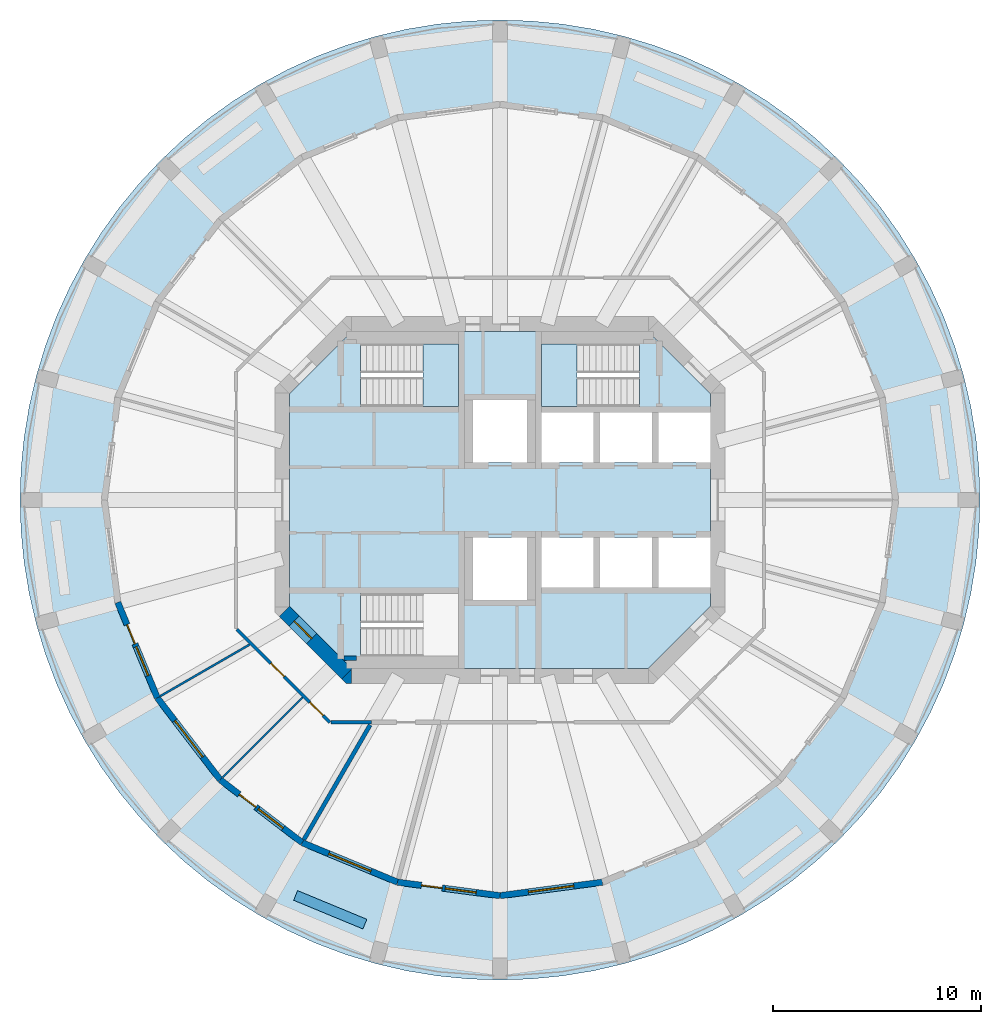
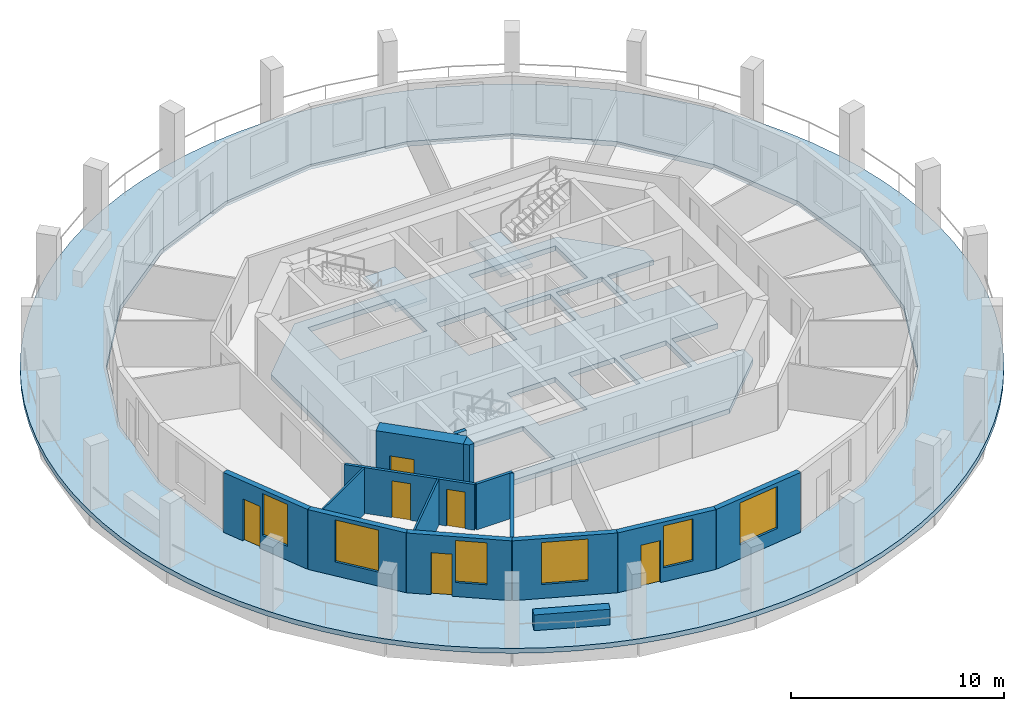
# One storey, part 2 of 9: 15 walls, 6 doors, 6 windows, 4 slabs, 12 openings, 2 elements without a shape of their own.
"""IFC4 building model written with IfcOpenShell, lengths in metres."""

from ifc_helpers import new_model, si_unit, direction, frame, frame_2d, origin, place, context, subcontext, project, spatial, polyline, rectangle, outline, extrude, material, layer, layer_set, type_object, element, fill, aggregate, save


model = new_model("IFC4")

# Units and contexts
model_context = context("Model", 3, precision=1e-05, world=origin(), true_north=direction((0.0, 1.0)))
body_context = subcontext(model_context, "Body", "Model", "MODEL_VIEW")
ifc_project = project(units=[si_unit("LENGTHUNIT", "METRE"), si_unit("AREAUNIT", "SQUARE_METRE"), si_unit("VOLUMEUNIT", "CUBIC_METRE"), si_unit("PLANEANGLEUNIT", "RADIAN"), si_unit("MASSUNIT", "GRAM", prefix="KILO")], contexts=[model_context])

# Site, building, storey
site_placement = place(None, origin())
site = spatial("IfcSite", under=ifc_project, at=site_placement, CompositionType="ELEMENT")
building_placement = place(site_placement, origin())
building = spatial("IfcBuilding", under=site, at=building_placement, Name="Torre Triforio", CompositionType="ELEMENT")
storey_placement = place(building_placement, frame((0.0, 0.0, 157.89990234375)))
storey = spatial("IfcBuildingStorey", under=building, at=storey_placement, Name="L35", CompositionType="ELEMENT", Elevation=157.89990234375)

# Slabs
ifc_material_1 = material(Name="Concrete C50", Category="concrete")
ifc_layer_1 = layer(ifc_material_1, 0.280029296875)
ifc_layer_set_1 = layer_set([ifc_layer_1], Name="Concrete C50")
slab_type_1 = type_object("IfcSlabType", Name="Core floor slab 280 mm C50 REI 120", PredefinedType="FLOOR", material=ifc_layer_set_1)
slab_1_placement = place(storey_placement, frame((0.0, 0.0, -0.27978515625)))
element("IfcSlab", 1, at=slab_1_placement, inside=storey, type_object=slab_type_1, Name="Core floor slab", PredefinedType="FLOOR", context=body_context, shape_type="SweptSolid", body=[
    extrude(outline(polyline([(10.10009765625, -5.10009765625), (7.10009765625, -8.10009765625), (-7.10009765625, -8.10009765625), (-10.10009765625, -5.10009765625), (-10.10009765625, 5.10009765625), (-7.10009765625, 8.10009765625), (7.10009765625, 8.10009765625), (10.10009765625, 5.10009765625), (10.10009765625, 4.199951171875), (7.60009765625, 4.199951171875), (7.60009765625, 1.800048828125), (10.10009765625, 1.800048828125), (10.10009765625, -1.800048828125), (7.60009765625, -1.800048828125), (7.60009765625, -4.199951171875), (10.10009765625, -4.199951171875), (10.10009765625, -5.10009765625)]), holes=[polyline([(-6.696044921875, -4.5), (-6.696044921875, -7.5), (-2.0, -7.5), (-2.0, -4.5), (-6.696044921875, -4.5)]), polyline([(-1.300048828125, -1.800048828125), (-1.300048828125, -4.800048828125), (1.300048828125, -4.800048828125), (1.300048828125, -1.800048828125), (-1.300048828125, -1.800048828125)]), polyline([(2.0, -1.800048828125), (2.0, -4.199951171875), (4.5, -4.199951171875), (4.5, -1.800048828125), (2.0, -1.800048828125)]), polyline([(4.5, 4.199951171875), (2.0, 4.199951171875), (2.0, 1.800048828125), (4.5, 1.800048828125), (4.5, 4.199951171875)]), polyline([(1.300048828125, 4.800048828125), (-1.300048828125, 4.800048828125), (-1.300048828125, 1.800048828125), (1.300048828125, 1.800048828125), (1.300048828125, 4.800048828125)]), polyline([(-6.696044921875, 7.5), (-6.696044921875, 4.5), (-2.0, 4.5), (-2.0, 7.5), (-6.696044921875, 7.5)]), polyline([(7.300048828125, -1.800048828125), (4.800048828125, -1.800048828125), (4.800048828125, -4.199951171875), (7.300048828125, -4.199951171875), (7.300048828125, -1.800048828125)]), polyline([(4.800048828125, 4.199951171875), (4.800048828125, 1.800048828125), (7.300048828125, 1.800048828125), (7.300048828125, 4.199951171875), (4.800048828125, 4.199951171875)]), polyline([(6.696044921875, 7.5), (2.0, 7.5), (2.0, 4.5), (6.696044921875, 4.5), (6.696044921875, 7.5)])]), origin(), (0.0, 0.0, 1.0), 0.27978515625),
])
ifc_material_2 = material(Name="Concrete C40", Category="concrete")
ifc_layer_2 = layer(ifc_material_2, 0.280029296875)
ifc_layer_set_2 = layer_set([ifc_layer_2], Name="Concrete C40")
slab_type_2 = type_object("IfcSlabType", Name="Loggia slab 280 C40", PredefinedType="FLOOR", material=ifc_layer_set_2)
slab_2_placement = place(storey_placement, frame((0.0, 0.0, -0.27978515625)))
element("IfcSlab", 2, at=slab_2_placement, inside=storey, type_object=slab_type_2, Name="SL.L35.LG", PredefinedType="FLOOR", context=body_context, shape_type="SweptSolid", body=[
    extrude(outline(polyline([(23.000732421875, -1.507568359375), (23.050048828125, 0.0), (23.000732421875, 1.507568359375), (22.852783203125, 3.008544921875), (22.607177734375, 4.496826171875), (22.2646484375, 5.9658203125), (21.82666015625, 7.4091796875), (21.29541015625, 8.82080078125), (20.6728515625, 10.19482421875), (19.9619140625, 11.52490234375), (19.165283203125, 12.805908203125), (18.286865234375, 14.031982421875), (17.329833984375, 15.197998046875), (16.298828125, 16.298828125), (15.197998046875, 17.329833984375), (14.031982421875, 18.286865234375), (12.805908203125, 19.165283203125), (11.52490234375, 19.9619140625), (10.19482421875, 20.6728515625), (8.82080078125, 21.29541015625), (7.4091796875, 21.82666015625), (5.9658203125, 22.2646484375), (4.496826171875, 22.607177734375), (3.008544921875, 22.852783203125), (1.507568359375, 23.000732421875), (0.0, 23.050048828125), (-1.507568359375, 23.000732421875), (-3.008544921875, 22.852783203125), (-4.496826171875, 22.607177734375), (-5.9658203125, 22.2646484375), (-7.4091796875, 21.82666015625), (-8.82080078125, 21.29541015625), (-10.19482421875, 20.6728515625), (-11.52490234375, 19.9619140625), (-12.805908203125, 19.165283203125), (-14.031982421875, 18.286865234375), (-15.197998046875, 17.329833984375), (-16.298828125, 16.298828125), (-17.329833984375, 15.197998046875), (-18.286865234375, 14.031982421875), (-19.165283203125, 12.805908203125), (-19.9619140625, 11.52490234375), (-20.6728515625, 10.19482421875), (-21.29541015625, 8.82080078125), (-21.82666015625, 7.4091796875), (-22.2646484375, 5.9658203125), (-22.607177734375, 4.496826171875), (-22.852783203125, 3.008544921875), (-23.000732421875, 1.507568359375), (-23.050048828125, 0.0), (-23.000732421875, -1.507568359375), (-22.852783203125, -3.008544921875), (-22.607177734375, -4.496826171875), (-22.2646484375, -5.9658203125), (-21.82666015625, -7.4091796875), (-21.29541015625, -8.82080078125), (-20.6728515625, -10.19482421875), (-19.9619140625, -11.52490234375), (-19.165283203125, -12.805908203125), (-18.286865234375, -14.031982421875), (-17.329833984375, -15.197998046875), (-16.298828125, -16.298828125), (-15.197998046875, -17.329833984375), (-14.031982421875, -18.286865234375), (-12.805908203125, -19.165283203125), (-11.52490234375, -19.9619140625), (-10.19482421875, -20.6728515625), (-8.82080078125, -21.29541015625), (-7.4091796875, -21.82666015625), (-5.9658203125, -22.2646484375), (-4.496826171875, -22.607177734375), (-3.008544921875, -22.852783203125), (-1.507568359375, -23.000732421875), (0.0, -23.050048828125), (1.507568359375, -23.000732421875), (3.008544921875, -22.852783203125), (4.496826171875, -22.607177734375), (5.9658203125, -22.2646484375), (7.4091796875, -21.82666015625), (8.82080078125, -21.29541015625), (10.19482421875, -20.6728515625), (11.52490234375, -19.9619140625), (12.805908203125, -19.165283203125), (14.031982421875, -18.286865234375), (15.197998046875, -17.329833984375), (16.298828125, -16.298828125), (17.329833984375, -15.197998046875), (18.286865234375, -14.031982421875), (19.165283203125, -12.805908203125), (19.9619140625, -11.52490234375), (20.6728515625, -10.19482421875), (21.29541015625, -8.82080078125), (21.82666015625, -7.4091796875), (22.2646484375, -5.9658203125), (22.607177734375, -4.496826171875), (22.852783203125, -3.008544921875), (23.000732421875, -1.507568359375)]), holes=[polyline([(18.3525390625, 4.91748046875), (19.0, 0.0), (18.3525390625, -4.91748046875), (16.45458984375, -9.5), (13.43505859375, -13.43505859375), (9.5, -16.45458984375), (4.91748046875, -18.3525390625), (0.0, -19.0), (-4.91748046875, -18.3525390625), (-9.5, -16.45458984375), (-13.43505859375, -13.43505859375), (-16.45458984375, -9.5), (-18.3525390625, -4.91748046875), (-19.0, 0.0), (-18.3525390625, 4.91748046875), (-16.45458984375, 9.5), (-13.43505859375, 13.43505859375), (-9.5, 16.45458984375), (-4.91748046875, 18.3525390625), (0.0, 19.0), (4.91748046875, 18.3525390625), (9.5, 16.45458984375), (13.43505859375, 13.43505859375), (16.45458984375, 9.5), (18.3525390625, 4.91748046875)])]), origin(), (0.0, 0.0, 1.0), 0.27978515625),
])

# Stair, slab
stair_type = type_object("IfcStairType", Name="STAIR HALF-TURN", PredefinedType="HALF_TURN_STAIR", material=ifc_material_2)
stair_1_placement = place(storey_placement, origin())
stair_1 = element("IfcStair", 3, at=stair_1_placement, inside=storey, type_object=stair_type, Name="Exit stair 1", PredefinedType="HALF_TURN_STAIR")
ifc_layer_3 = layer(ifc_material_2, 0.199951171875)
ifc_layer_set_3 = layer_set([ifc_layer_3], Name="Concrete C40")
slab_type_3 = type_object("IfcSlabType", Name="STAIR LANDING 200", PredefinedType="LANDING", material=ifc_layer_set_3)
slab_3_placement = place(storey_placement, frame((0.0, 0.0, 1.650146484375)))
slab_3 = element("IfcSlab", 4, at=slab_3_placement, type_object=slab_type_3, Name="ST1 landing 1", PredefinedType="LANDING", context=body_context, shape_type="SweptSolid", body=[
    extrude(outline(polyline([(-2.0, 4.5), (-2.0, 7.5), (-3.699951171875, 7.5), (-3.699951171875, 4.5), (-2.0, 4.5)])), origin(), (0.0, 0.0, 1.0), 0.199951171875),
])
aggregate(stair_1, [slab_3])

stair_2_placement = place(storey_placement, origin())
stair_2 = element("IfcStair", 5, at=stair_2_placement, inside=storey, type_object=stair_type, Name="Exit stair 2", PredefinedType="HALF_TURN_STAIR")
slab_4_placement = place(storey_placement, frame((0.0, 0.0, 1.650146484375)))
slab_4 = element("IfcSlab", 6, at=slab_4_placement, type_object=slab_type_3, Name="ST2 landing 1", PredefinedType="LANDING", context=body_context, shape_type="SweptSolid", body=[
    extrude(outline(polyline([(3.699951171875, 4.5), (3.699951171875, 7.5), (2.0, 7.5), (2.0, 4.5), (3.699951171875, 4.5)])), origin(), (0.0, 0.0, 1.0), 0.199951171875),
])
aggregate(stair_2, [slab_4])

# Wall, opening, door
ifc_layer_4 = layer(ifc_material_1, 0.699951171875)
ifc_layer_set_4 = layer_set([ifc_layer_4], Name="Concrete C50")
wall_type_1 = type_object("IfcWallType", Name="Core wall 700 mm C50 EI 120", PredefinedType="SHEAR", material=ifc_layer_set_4)
wall_1_placement = place(storey_placement, frame((-7.347412109375, -8.347412109375, -0.27978515625), z_axis=(0.0, 0.0, 1.0), x_axis=(-0.707106781187, 0.707106781187, 0.0)))
wall_1 = element("IfcWall", 7, at=wall_1_placement, inside=storey, type_object=wall_type_1, Name="Core wall", PredefinedType="SHEAR", context=body_context, shape_type="SweptSolid", body=[
    extrude(rectangle(XDim=4.24267578125, YDim=0.699951171875, at=frame_2d((2.121337890625, 0.0))), origin(), (0.0, 0.0, 1.0), 3.699951171875),
])
opening_1_placement = place(wall_1_placement, frame((2.392578125, 0.0, 0.280029296875)))
opening_1 = element("IfcOpeningElement", 8, at=opening_1_placement, cuts=wall_1, Name="Opening ST3-EXIT", PredefinedType="OPENING", context=body_context, shape_type="SweptSolid", body=[
    extrude(rectangle(XDim=1.199951171875, YDim=2.10009765625, at=frame_2d((0.60009765625, 1.050048828125))), frame((0.0, 0.35986328125, 0.0), z_axis=(0.0, -1.0, 0.0), x_axis=(1.0, 0.0, 0.0)), (0.0, 0.0, 1.0), 0.719970703125),
])
ifc_material_3 = material(Name="Hollow metal fire door leaf")
door_type_1 = type_object("IfcDoorType", Name="Stair lobby door 1200 x 2100 EI 60", OperationType="NOTDEFINED", PredefinedType="DOOR", material=ifc_material_3)
door_1_placement = place(opening_1_placement, origin())
door_1 = element("IfcDoor", 9, at=door_1_placement, inside=storey, type_object=door_type_1, Name="Core door ST3-EXIT", OperationType="SINGLE_SWING_RIGHT", OverallHeight=2.10009765625, OverallWidth=1.199951171875, PredefinedType="DOOR", context=body_context, shape_type="SweptSolid", body=[
    extrude(rectangle(XDim=1.199951171875, YDim=2.10009765625, at=frame_2d((0.60009765625, 1.050048828125))), frame((0.0, 0.02490234375, 0.0), z_axis=(0.0, -1.0, 0.0), x_axis=(1.0, 0.0, 0.0)), (0.0, 0.0, 1.0), 0.050048828125),
])
fill(opening_1, door_1)

# Walls
wall_2_placement = place(storey_placement, frame((0.0, 0.0, -0.27978515625)))
element("IfcWall", 10, at=wall_2_placement, inside=storey, type_object=wall_type_1, Name="Core wall", PredefinedType="SHEAR", context=body_context, shape_type="SweptSolid", body=[
    extrude(outline(polyline([(-7.389892578125, -8.800048828125), (-7.594970703125, -8.594970703125), (-7.594970703125, -8.594970703125), (-7.594970703125, -8.594970703125), (-7.1298828125, -8.1298828125), (-7.1298828125, -8.800048828125), (-7.1298828125, -8.800048828125), (-7.389892578125, -8.800048828125)])), origin(), (0.0, 0.0, 1.0), 3.699951171875),
])
ifc_material_4 = material(Name="Plasterboard on metal studs")
ifc_layer_5 = layer(ifc_material_4, 0.14990234375)
ifc_layer_set_5 = layer_set([ifc_layer_5], Name="Plasterboard on metal studs")
wall_type_2 = type_object("IfcWallType", Name="Corridor and tenancy wall 150 mm EI 60", PredefinedType="PARTITIONING", material=ifc_layer_set_5)
wall_3_placement = place(storey_placement, frame((-6.1630859375, -10.675048828125, 0.0), z_axis=(0.0, 0.0, 1.0), x_axis=(-1.0, 0.0, 0.0)))
element("IfcWall", 11, at=wall_3_placement, inside=storey, type_object=wall_type_2, Name="Partition 4", PredefinedType="PARTITIONING", context=body_context, shape_type="SweptSolid", body=[
    extrude(rectangle(XDim=1.950927734375, YDim=0.14990234375, at=frame_2d((0.9755859375, 0.0))), origin(), (0.0, 0.0, 1.0), 2.6201171875),
])

# Wall, openings, doors
wall_4_placement = place(storey_placement, frame((-8.16650390625, -10.675048828125, 0.0), z_axis=(0.0, 0.0, 1.0), x_axis=(-0.707106781187, 0.707106781187, 0.0)))
wall_4 = element("IfcWall", 12, at=wall_4_placement, inside=storey, type_object=wall_type_2, Name="Partition 5", PredefinedType="PARTITIONING", context=body_context, shape_type="SweptSolid", body=[
    extrude(rectangle(XDim=6.323486328125, YDim=0.14990234375, at=frame_2d((3.16162109375, 0.0))), origin(), (0.0, 0.0, 1.0), 2.6201171875),
])
opening_2_placement = place(wall_4_placement, frame((3.109619140625, 0.0, 0.0)))
opening_2 = element("IfcOpeningElement", 13, at=opening_2_placement, cuts=wall_4, Name="Opening O1-10", PredefinedType="OPENING", context=body_context, shape_type="SweptSolid", body=[
    extrude(rectangle(XDim=0.89990234375, YDim=2.10009765625, at=frame_2d((0.449951171875, 1.050048828125))), frame((0.0, 0.0849609375, 0.0), z_axis=(0.0, -1.0, 0.0), x_axis=(1.0, 0.0, 0.0)), (0.0, 0.0, 1.0), 0.169921875),
])
opening_3_placement = place(wall_4_placement, frame((0.4619140625, 0.0, 0.0)))
opening_3 = element("IfcOpeningElement", 14, at=opening_3_placement, cuts=wall_4, Name="Opening O1-11", PredefinedType="OPENING", context=body_context, shape_type="SweptSolid", body=[
    extrude(rectangle(XDim=0.89990234375, YDim=2.10009765625, at=frame_2d((0.449951171875, 1.050048828125))), frame((0.0, 0.0849609375, 0.0), z_axis=(0.0, -1.0, 0.0), x_axis=(1.0, 0.0, 0.0)), (0.0, 0.0, 1.0), 0.169921875),
])
ifc_material_5 = material(Name="Timber", Category="wood")
door_type_2 = type_object("IfcDoorType", Name="Door 900 x 2100 single leaf EI 30", OperationType="NOTDEFINED", PredefinedType="DOOR", material=ifc_material_5)
door_2_placement = place(opening_2_placement, origin())
door_2 = element("IfcDoor", 15, at=door_2_placement, inside=storey, type_object=door_type_2, Name="Door O1-10", OperationType="SINGLE_SWING_LEFT", OverallHeight=2.10009765625, OverallWidth=0.89990234375, PredefinedType="DOOR", context=body_context, shape_type="SweptSolid", body=[
    extrude(rectangle(XDim=0.89990234375, YDim=2.10009765625, at=frame_2d((0.449951171875, 1.050048828125))), frame((0.0, 0.02490234375, 0.0), z_axis=(0.0, -1.0, 0.0), x_axis=(1.0, 0.0, 0.0)), (0.0, 0.0, 1.0), 0.050048828125),
])
fill(opening_2, door_2)
door_3_placement = place(opening_3_placement, origin())
door_3 = element("IfcDoor", 16, at=door_3_placement, inside=storey, type_object=door_type_2, Name="Door O1-11", OperationType="SINGLE_SWING_LEFT", OverallHeight=2.10009765625, OverallWidth=0.89990234375, PredefinedType="DOOR", context=body_context, shape_type="SweptSolid", body=[
    extrude(rectangle(XDim=0.89990234375, YDim=2.10009765625, at=frame_2d((0.449951171875, 1.050048828125))), frame((0.0, 0.02490234375, 0.0), z_axis=(0.0, -1.0, 0.0), x_axis=(1.0, 0.0, 0.0)), (0.0, 0.0, 1.0), 0.050048828125),
])
fill(opening_3, door_3)

# Walls
ifc_layer_6 = layer(ifc_material_4, 0.10009765625)
ifc_layer_set_6 = layer_set([ifc_layer_6], Name="Plasterboard on metal studs")
wall_type_3 = type_object("IfcWallType", Name="Partition 100 mm board on metal studs", PredefinedType="PARTITIONING", material=ifc_layer_set_6)
wall_5_placement = place(storey_placement, frame((-12.025146484375, -6.94287109375, 0.0), z_axis=(0.0, 0.0, 1.0), x_axis=(-0.866025463095, -0.499999897272, 0.0)))
element("IfcWall", 17, at=wall_5_placement, inside=storey, type_object=wall_type_3, Name="Partition 20", PredefinedType="PARTITIONING", context=body_context, shape_type="SweptSolid", body=[
    extrude(rectangle(XDim=4.951171875, YDim=0.10009765625, at=frame_2d((2.4755859375, 0.0))), origin(), (0.0, 0.0, 1.0), 2.6201171875),
])
wall_6_placement = place(storey_placement, frame((-9.473876953125, -9.473876953125, 0.0), z_axis=(0.0, 0.0, 1.0), x_axis=(-0.707106781187, -0.707106781187, 0.0)))
element("IfcWall", 18, at=wall_6_placement, inside=storey, type_object=wall_type_3, Name="Partition 21", PredefinedType="PARTITIONING", context=body_context, shape_type="SweptSolid", body=[
    extrude(rectangle(XDim=5.438720703125, YDim=0.10009765625, at=frame_2d((2.71923828125, 0.0))), origin(), (0.0, 0.0, 1.0), 2.6201171875),
])
ifc_material_6 = material(Name="Masonry block", Category="masonry")
ifc_layer_7 = layer(ifc_material_6, 0.199951171875)
ifc_layer_set_7 = layer_set([ifc_layer_7], Name="Masonry block")
wall_type_4 = type_object("IfcWallType", Name="Plant room wall 200 mm block EI 120", PredefinedType="PARTITIONING", material=ifc_layer_set_7)
wall_7_placement = place(storey_placement, frame((-6.235595703125, -10.800537109375, 0.0), z_axis=(0.0, 0.0, 1.0), x_axis=(-0.500029003625, -0.866008657886, 0.0)))
element("IfcWall", 19, at=wall_7_placement, inside=storey, type_object=wall_type_4, Name="Partition 22", PredefinedType="PARTITIONING", context=body_context, shape_type="SweptSolid", body=[
    extrude(rectangle(XDim=6.365234375, YDim=0.199951171875, at=frame_2d((3.1826171875, 0.0))), origin(), (0.0, 0.0, 1.0), 2.6201171875),
])
ifc_material_7 = material(Name="Limestone cladding", Category="masonry")
ifc_layer_8 = layer(ifc_material_7, 0.10009765625)
ifc_layer_9 = layer(ifc_material_2, 0.39990234375)
ifc_layer_set_8 = layer_set([ifc_layer_8, ifc_layer_9], Name="Limestone cladding / Concrete C40")
wall_type_5 = type_object("IfcWallType", Name="Planter wall 500", PredefinedType="PARAPET", material=ifc_layer_set_8)
wall_8_placement = place(storey_placement, frame((-9.814208984375, -18.98974609375, 0.0), z_axis=(0.0, 0.0, 1.0), x_axis=(0.923875488976, -0.382693194178, 0.0)))
element("IfcWall", 20, at=wall_8_placement, inside=storey, type_object=wall_type_5, Name="Planter L35 bay 17", PredefinedType="PARAPET", context=body_context, shape_type="SweptSolid", body=[
    extrude(rectangle(XDim=3.599853515625, YDim=0.5, at=frame_2d((1.7998046875, 0.0))), origin(), (0.0, 0.0, 1.0), 0.900146484375),
])
ifc_layer_10 = layer(ifc_material_1, 0.199951171875)
ifc_layer_set_9 = layer_set([ifc_layer_10], Name="Concrete C50")
wall_type_6 = type_object("IfcWallType", Name="Stair wall 200 mm C50 EI 120", PredefinedType="SHEAR", material=ifc_layer_set_9)
wall_9_placement = place(storey_placement, frame((-7.5, -7.60009765625, 0.0), z_axis=(0.0, 0.0, 1.0), x_axis=(1.0, 0.0, 0.0)))
element("IfcWall", 21, at=wall_9_placement, inside=storey, type_object=wall_type_6, Name="Stair wall", PredefinedType="SHEAR", context=body_context, shape_type="SweptSolid", body=[
    extrude(rectangle(XDim=0.60009765625, YDim=0.199951171875, at=frame_2d((0.300048828125, 0.0))), origin(), (0.0, 0.0, 1.0), 3.420166015625),
])

# Wall, openings, door, window
ifc_layer_11 = layer(ifc_material_7, 0.10009765625)
ifc_layer_12 = layer(ifc_material_2, 0.199951171875)
ifc_layer_set_10 = layer_set([ifc_layer_11, ifc_layer_12], Name="Limestone cladding / Concrete C40")
wall_type_7 = type_object("IfcWallType", Name="Stone-faced composite wall 300", PredefinedType="STANDARD", material=ifc_layer_set_10)
wall_10_placement = place(storey_placement, frame((-18.3525390625, -4.91748046875, 0.0), z_axis=(0.0, 0.0, 1.0), x_axis=(0.382650301762, -0.923893254961, 0.0)))
wall_10 = element("IfcWall", 22, at=wall_10_placement, inside=storey, type_object=wall_type_7, Name="External wall L35 bay 14", PredefinedType="STANDARD", context=body_context, shape_type="SweptSolid", body=[
    extrude(rectangle(XDim=4.9599609375, YDim=0.300048828125, at=frame_2d((2.47998046875, 0.0))), origin(), (0.0, 0.0, 1.0), 3.420166015625),
])
opening_4_placement = place(wall_10_placement, frame((1.155029296875, 0.0, 0.0)))
opening_4 = element("IfcOpeningElement", 23, at=opening_4_placement, cuts=wall_10, Name="Opening O1-D14", PredefinedType="OPENING", context=body_context, shape_type="SweptSolid", body=[
    extrude(rectangle(XDim=1.0, YDim=2.39990234375, at=frame_2d((0.5, 1.199951171875))), frame((0.0, 0.159912109375, 0.0), z_axis=(0.0, -1.0, 0.0), x_axis=(1.0, 0.0, 0.0)), (0.0, 0.0, 1.0), 0.320068359375),
])
opening_5_placement = place(wall_10_placement, frame((2.304931640625, 0.0, 0.800048828125)))
opening_5 = element("IfcOpeningElement", 24, at=opening_5_placement, cuts=wall_10, Name="Opening O1-W14A", PredefinedType="OPENING", context=body_context, shape_type="SweptSolid", body=[
    extrude(rectangle(XDim=1.5, YDim=2.39990234375, at=frame_2d((0.75, 1.199951171875))), frame((0.0, 0.159912109375, 0.0), z_axis=(0.0, -1.0, 0.0), x_axis=(1.0, 0.0, 0.0)), (0.0, 0.0, 1.0), 0.320068359375),
])
ifc_material_8 = material(Name="Aluminium frame with clear double glazing", Category="aluminium")
door_type_3 = type_object("IfcDoorType", Name="Loggia door 1000 x 2400", OperationType="NOTDEFINED", PredefinedType="DOOR", material=ifc_material_8)
door_4_placement = place(opening_4_placement, origin())
door_4 = element("IfcDoor", 25, at=door_4_placement, inside=storey, type_object=door_type_3, Name="Loggia door L35 bay 14", OperationType="SINGLE_SWING_LEFT", OverallHeight=2.39990234375, OverallWidth=1.0, PredefinedType="DOOR", context=body_context, shape_type="SweptSolid", body=[
    extrude(rectangle(XDim=1.0, YDim=2.39990234375, at=frame_2d((0.5, 1.199951171875))), frame((0.0, 0.02490234375, 0.0), z_axis=(0.0, -1.0, 0.0), x_axis=(1.0, 0.0, 0.0)), (0.0, 0.0, 1.0), 0.050048828125),
])
fill(opening_4, door_4)
window_type_1 = type_object("IfcWindowType", Name="Side window 1500 x 2400", PartitioningType="SINGLE_PANEL", PredefinedType="WINDOW", material=ifc_material_8)
window_1_placement = place(opening_5_placement, origin())
window_1 = element("IfcWindow", 26, at=window_1_placement, inside=storey, type_object=window_type_1, Name="Side window EWN14 L35 bay 14", OverallHeight=2.39990234375, OverallWidth=1.5, PartitioningType="SINGLE_PANEL", PredefinedType="WINDOW", context=body_context, shape_type="SweptSolid", body=[
    extrude(rectangle(XDim=1.5, YDim=2.39990234375, at=frame_2d((0.75, 1.199951171875))), frame((0.0, 0.030029296875, 0.0), z_axis=(0.0, -1.0, 0.0), x_axis=(1.0, 0.0, 0.0)), (0.0, 0.0, 1.0), 0.06005859375),
])
fill(opening_5, window_1)

# Wall, opening, window
wall_11_placement = place(storey_placement, frame((-16.45458984375, -9.5, 0.0), z_axis=(0.0, 0.0, 1.0), x_axis=(0.608768356425, -0.793348024649, 0.0)))
wall_11 = element("IfcWall", 27, at=wall_11_placement, inside=storey, type_object=wall_type_7, Name="External wall L35 bay 15", PredefinedType="STANDARD", context=body_context, shape_type="SweptSolid", body=[
    extrude(rectangle(XDim=4.9599609375, YDim=0.300048828125, at=frame_2d((2.47998046875, 0.0))), origin(), (0.0, 0.0, 1.0), 3.420166015625),
])
opening_6_placement = place(wall_11_placement, frame((1.3798828125, 0.0, 0.800048828125)))
opening_6 = element("IfcOpeningElement", 28, at=opening_6_placement, cuts=wall_11, Name="Opening O1-W15", PredefinedType="OPENING", context=body_context, shape_type="SweptSolid", body=[
    extrude(rectangle(XDim=2.199951171875, YDim=2.39990234375, at=frame_2d((1.10009765625, 1.199951171875))), frame((0.0, 0.159912109375, 0.0), z_axis=(0.0, -1.0, 0.0), x_axis=(1.0, 0.0, 0.0)), (0.0, 0.0, 1.0), 0.320068359375),
])
window_type_2 = type_object("IfcWindowType", Name="Punched window 2200 x 2400", PartitioningType="DOUBLE_PANEL_VERTICAL", PredefinedType="WINDOW", material=ifc_material_8)
window_2_placement = place(opening_6_placement, origin())
window_2 = element("IfcWindow", 29, at=window_2_placement, inside=storey, type_object=window_type_2, Name="Window EWN5 L35 bay 15", OverallHeight=2.39990234375, OverallWidth=2.199951171875, PartitioningType="SINGLE_PANEL", PredefinedType="WINDOW", context=body_context, shape_type="SweptSolid", body=[
    extrude(rectangle(XDim=2.199951171875, YDim=2.39990234375, at=frame_2d((1.10009765625, 1.199951171875))), frame((0.0, 0.030029296875, 0.0), z_axis=(0.0, -1.0, 0.0), x_axis=(1.0, 0.0, 0.0)), (0.0, 0.0, 1.0), 0.06005859375),
])
fill(opening_6, window_2)

# Wall, openings, door, window
wall_12_placement = place(storey_placement, frame((-13.43505859375, -13.43505859375, 0.0), z_axis=(0.0, 0.0, 1.0), x_axis=(0.793348024649, -0.608768356425, 0.0)))
wall_12 = element("IfcWall", 30, at=wall_12_placement, inside=storey, type_object=wall_type_7, Name="External wall L35 bay 16", PredefinedType="STANDARD", context=body_context, shape_type="SweptSolid", body=[
    extrude(rectangle(XDim=4.9599609375, YDim=0.300048828125, at=frame_2d((2.47998046875, 0.0))), origin(), (0.0, 0.0, 1.0), 3.420166015625),
])
opening_7_placement = place(wall_12_placement, frame((1.155029296875, 0.0, 0.0)))
opening_7 = element("IfcOpeningElement", 31, at=opening_7_placement, cuts=wall_12, Name="Opening O1-D16", PredefinedType="OPENING", context=body_context, shape_type="SweptSolid", body=[
    extrude(rectangle(XDim=1.0, YDim=2.39990234375, at=frame_2d((0.5, 1.199951171875))), frame((0.0, 0.159912109375, 0.0), z_axis=(0.0, -1.0, 0.0), x_axis=(1.0, 0.0, 0.0)), (0.0, 0.0, 1.0), 0.320068359375),
])
opening_8_placement = place(wall_12_placement, frame((2.304931640625, 0.0, 0.800048828125)))
opening_8 = element("IfcOpeningElement", 32, at=opening_8_placement, cuts=wall_12, Name="Opening O1-W16A", PredefinedType="OPENING", context=body_context, shape_type="SweptSolid", body=[
    extrude(rectangle(XDim=1.5, YDim=2.39990234375, at=frame_2d((0.75, 1.199951171875))), frame((0.0, 0.159912109375, 0.0), z_axis=(0.0, -1.0, 0.0), x_axis=(1.0, 0.0, 0.0)), (0.0, 0.0, 1.0), 0.320068359375),
])
door_5_placement = place(opening_7_placement, origin())
door_5 = element("IfcDoor", 33, at=door_5_placement, inside=storey, type_object=door_type_3, Name="Loggia door L35 bay 16", OperationType="SINGLE_SWING_LEFT", OverallHeight=2.39990234375, OverallWidth=1.0, PredefinedType="DOOR", context=body_context, shape_type="SweptSolid", body=[
    extrude(rectangle(XDim=1.0, YDim=2.39990234375, at=frame_2d((0.5, 1.199951171875))), frame((0.0, 0.02490234375, 0.0), z_axis=(0.0, -1.0, 0.0), x_axis=(1.0, 0.0, 0.0)), (0.0, 0.0, 1.0), 0.050048828125),
])
fill(opening_7, door_5)
window_3_placement = place(opening_8_placement, origin())
window_3 = element("IfcWindow", 34, at=window_3_placement, inside=storey, type_object=window_type_1, Name="Side window EWN14 L35 bay 16", OverallHeight=2.39990234375, OverallWidth=1.5, PartitioningType="SINGLE_PANEL", PredefinedType="WINDOW", context=body_context, shape_type="SweptSolid", body=[
    extrude(rectangle(XDim=1.5, YDim=2.39990234375, at=frame_2d((0.75, 1.199951171875))), frame((0.0, 0.030029296875, 0.0), z_axis=(0.0, -1.0, 0.0), x_axis=(1.0, 0.0, 0.0)), (0.0, 0.0, 1.0), 0.06005859375),
])
fill(opening_8, window_3)

# Wall, opening, window
wall_13_placement = place(storey_placement, frame((-9.5, -16.45458984375, 0.0), z_axis=(0.0, 0.0, 1.0), x_axis=(0.923893254961, -0.382650301762, 0.0)))
wall_13 = element("IfcWall", 35, at=wall_13_placement, inside=storey, type_object=wall_type_7, Name="External wall L35 bay 17", PredefinedType="STANDARD", context=body_context, shape_type="SweptSolid", body=[
    extrude(rectangle(XDim=4.9599609375, YDim=0.300048828125, at=frame_2d((2.47998046875, 0.0))), origin(), (0.0, 0.0, 1.0), 3.420166015625),
])
opening_9_placement = place(wall_13_placement, frame((1.3798828125, 0.0, 0.800048828125)))
opening_9 = element("IfcOpeningElement", 36, at=opening_9_placement, cuts=wall_13, Name="Opening O1-W17", PredefinedType="OPENING", context=body_context, shape_type="SweptSolid", body=[
    extrude(rectangle(XDim=2.199951171875, YDim=2.39990234375, at=frame_2d((1.10009765625, 1.199951171875))), frame((0.0, 0.159912109375, 0.0), z_axis=(0.0, -1.0, 0.0), x_axis=(1.0, 0.0, 0.0)), (0.0, 0.0, 1.0), 0.320068359375),
])
window_4_placement = place(opening_9_placement, origin())
window_4 = element("IfcWindow", 37, at=window_4_placement, inside=storey, type_object=window_type_2, Name="Window EWN5 L35 bay 17", OverallHeight=2.39990234375, OverallWidth=2.199951171875, PartitioningType="SINGLE_PANEL", PredefinedType="WINDOW", context=body_context, shape_type="SweptSolid", body=[
    extrude(rectangle(XDim=2.199951171875, YDim=2.39990234375, at=frame_2d((1.10009765625, 1.199951171875))), frame((0.0, 0.030029296875, 0.0), z_axis=(0.0, -1.0, 0.0), x_axis=(1.0, 0.0, 0.0)), (0.0, 0.0, 1.0), 0.06005859375),
])
fill(opening_9, window_4)

# Wall, openings, door, window
wall_14_placement = place(storey_placement, frame((-4.91748046875, -18.3525390625, 0.0), z_axis=(0.0, 0.0, 1.0), x_axis=(0.991443234469, -0.130538549191, 0.0)))
wall_14 = element("IfcWall", 38, at=wall_14_placement, inside=storey, type_object=wall_type_7, Name="External wall L35 bay 18", PredefinedType="STANDARD", context=body_context, shape_type="SweptSolid", body=[
    extrude(rectangle(XDim=4.9599609375, YDim=0.300048828125, at=frame_2d((2.47998046875, 0.0))), origin(), (0.0, 0.0, 1.0), 3.420166015625),
])
opening_10_placement = place(wall_14_placement, frame((1.155029296875, 0.0, 0.0)))
opening_10 = element("IfcOpeningElement", 39, at=opening_10_placement, cuts=wall_14, Name="Opening O1-D18", PredefinedType="OPENING", context=body_context, shape_type="SweptSolid", body=[
    extrude(rectangle(XDim=1.0, YDim=2.39990234375, at=frame_2d((0.5, 1.199951171875))), frame((0.0, 0.159912109375, 0.0), z_axis=(0.0, -1.0, 0.0), x_axis=(1.0, 0.0, 0.0)), (0.0, 0.0, 1.0), 0.320068359375),
])
opening_11_placement = place(wall_14_placement, frame((2.304931640625, 0.0, 0.800048828125)))
opening_11 = element("IfcOpeningElement", 40, at=opening_11_placement, cuts=wall_14, Name="Opening O1-W18A", PredefinedType="OPENING", context=body_context, shape_type="SweptSolid", body=[
    extrude(rectangle(XDim=1.5, YDim=2.39990234375, at=frame_2d((0.75, 1.199951171875))), frame((0.0, 0.159912109375, 0.0), z_axis=(0.0, -1.0, 0.0), x_axis=(1.0, 0.0, 0.0)), (0.0, 0.0, 1.0), 0.320068359375),
])
door_6_placement = place(opening_10_placement, origin())
door_6 = element("IfcDoor", 41, at=door_6_placement, inside=storey, type_object=door_type_3, Name="Loggia door L35 bay 18", OperationType="SINGLE_SWING_LEFT", OverallHeight=2.39990234375, OverallWidth=1.0, PredefinedType="DOOR", context=body_context, shape_type="SweptSolid", body=[
    extrude(rectangle(XDim=1.0, YDim=2.39990234375, at=frame_2d((0.5, 1.199951171875))), frame((0.0, 0.02490234375, 0.0), z_axis=(0.0, -1.0, 0.0), x_axis=(1.0, 0.0, 0.0)), (0.0, 0.0, 1.0), 0.050048828125),
])
fill(opening_10, door_6)
window_5_placement = place(opening_11_placement, origin())
window_5 = element("IfcWindow", 42, at=window_5_placement, inside=storey, type_object=window_type_1, Name="Side window EWN14 L35 bay 18", OverallHeight=2.39990234375, OverallWidth=1.5, PartitioningType="SINGLE_PANEL", PredefinedType="WINDOW", context=body_context, shape_type="SweptSolid", body=[
    extrude(rectangle(XDim=1.5, YDim=2.39990234375, at=frame_2d((0.75, 1.199951171875))), frame((0.0, 0.030029296875, 0.0), z_axis=(0.0, -1.0, 0.0), x_axis=(1.0, 0.0, 0.0)), (0.0, 0.0, 1.0), 0.06005859375),
])
fill(opening_11, window_5)

# Wall, opening, window
wall_15_placement = place(storey_placement, frame((0.0, -19.0, 0.0), z_axis=(0.0, 0.0, 1.0), x_axis=(0.991443234469, 0.130538549191, 0.0)))
wall_15 = element("IfcWall", 43, at=wall_15_placement, inside=storey, type_object=wall_type_7, Name="External wall L35 bay 19", PredefinedType="STANDARD", context=body_context, shape_type="SweptSolid", body=[
    extrude(rectangle(XDim=4.9599609375, YDim=0.300048828125, at=frame_2d((2.47998046875, 0.0))), origin(), (0.0, 0.0, 1.0), 3.420166015625),
])
opening_12_placement = place(wall_15_placement, frame((1.3798828125, 0.0, 0.800048828125)))
opening_12 = element("IfcOpeningElement", 44, at=opening_12_placement, cuts=wall_15, Name="Opening O1-W19", PredefinedType="OPENING", context=body_context, shape_type="SweptSolid", body=[
    extrude(rectangle(XDim=2.199951171875, YDim=2.39990234375, at=frame_2d((1.10009765625, 1.199951171875))), frame((0.0, 0.159912109375, 0.0), z_axis=(0.0, -1.0, 0.0), x_axis=(1.0, 0.0, 0.0)), (0.0, 0.0, 1.0), 0.320068359375),
])
window_6_placement = place(opening_12_placement, origin())
window_6 = element("IfcWindow", 45, at=window_6_placement, inside=storey, type_object=window_type_2, Name="Window EWN5 L35 bay 19", OverallHeight=2.39990234375, OverallWidth=2.199951171875, PartitioningType="SINGLE_PANEL", PredefinedType="WINDOW", context=body_context, shape_type="SweptSolid", body=[
    extrude(rectangle(XDim=2.199951171875, YDim=2.39990234375, at=frame_2d((1.10009765625, 1.199951171875))), frame((0.0, 0.030029296875, 0.0), z_axis=(0.0, -1.0, 0.0), x_axis=(1.0, 0.0, 0.0)), (0.0, 0.0, 1.0), 0.06005859375),
])
fill(opening_12, window_6)

save(model, "model.ifc")
